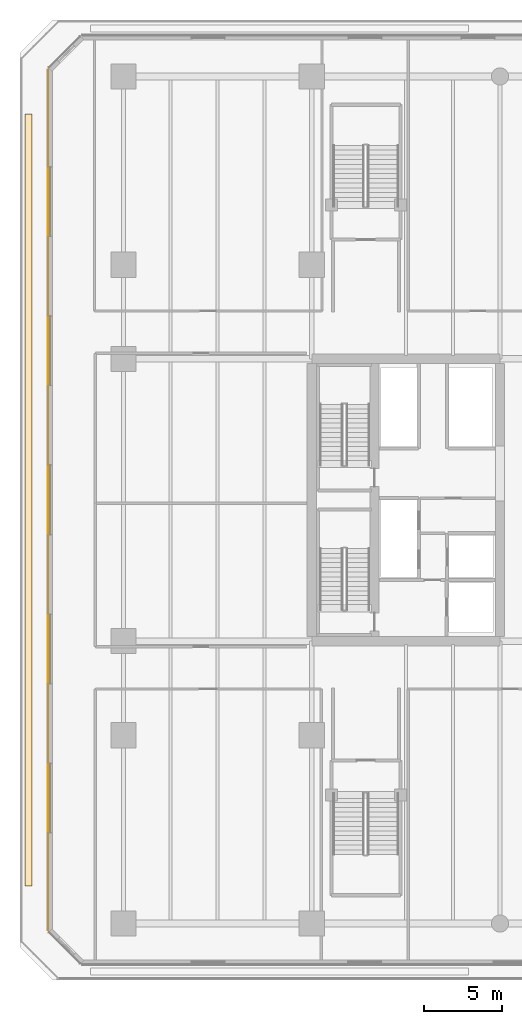
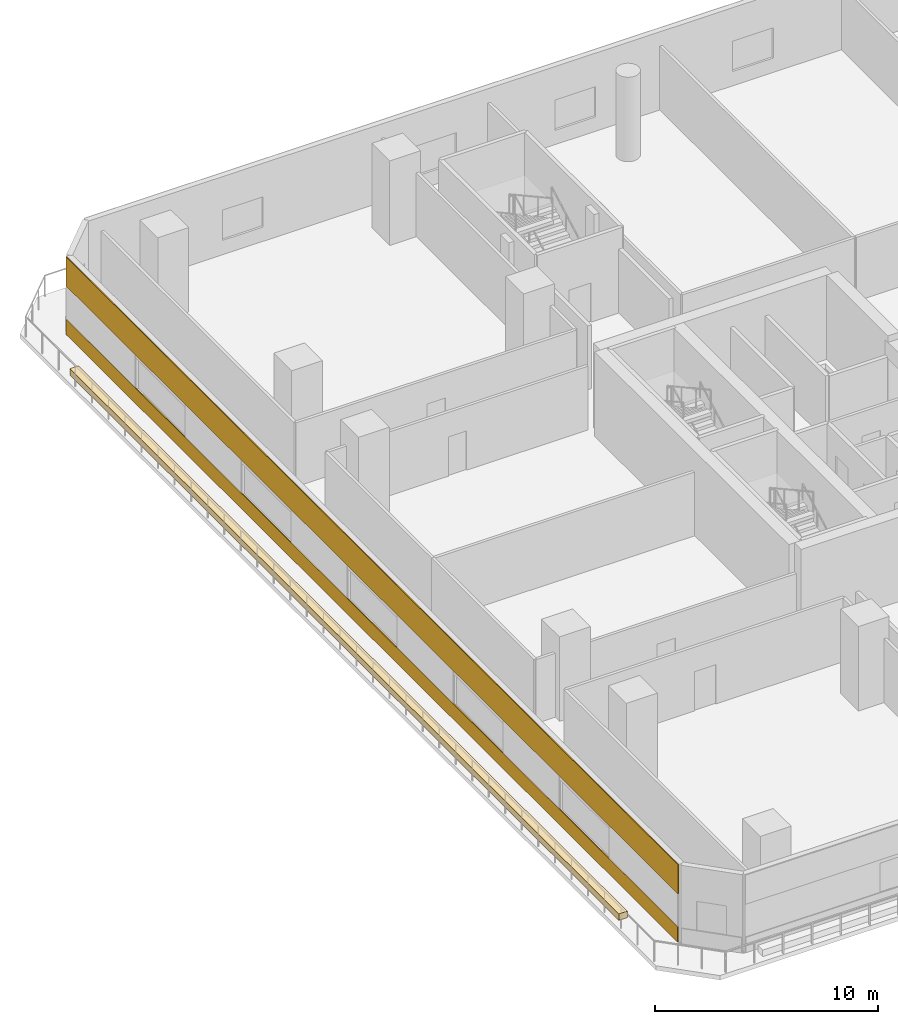
# One storey, part 14 of 27: 3 coverings.
"""IFC4 building model written with IfcOpenShell, lengths in metres."""

from ifc_helpers import new_model, si_unit, direction, frame, origin, origin_2d, place, context, subcontext, project, spatial, polyline, rectangle, outline, extrude, material, layer, layer_set, type_object, element, save


model = new_model("IFC4")

# Units and contexts
model_context = context("Model", 3, precision=1e-05, world=origin(), true_north=direction((0.0, 1.0)))
body_context = subcontext(model_context, "Body", "Model", "MODEL_VIEW")
ifc_project = project(units=[si_unit("LENGTHUNIT", "METRE"), si_unit("AREAUNIT", "SQUARE_METRE"), si_unit("VOLUMEUNIT", "CUBIC_METRE"), si_unit("PLANEANGLEUNIT", "RADIAN"), si_unit("MASSUNIT", "GRAM", prefix="KILO")], contexts=[model_context])

# Site, building, storey
site_placement = place(None, origin())
site = spatial("IfcSite", under=ifc_project, at=site_placement, CompositionType="ELEMENT")
building_placement = place(site_placement, origin())
building = spatial("IfcBuilding", under=site, at=building_placement, Name="Tanjung Sevakor Pilgrim Tower", CompositionType="ELEMENT")
storey_placement = place(building_placement, frame((0.0, 0.0, 19.469970703125)))
storey = spatial("IfcBuildingStorey", under=building, at=storey_placement, Name="L05", CompositionType="ELEMENT", Elevation=19.469970703125)

# Coverings
ifc_material_1 = material(Name="Reconstructed Limestone Cladding", Category="masonry")
ifc_layer_1 = layer(ifc_material_1, 0.044921875)
ifc_layer_set_1 = layer_set([ifc_layer_1], Name="COV-CLAD-LIMESTONE")
covering_type_1 = type_object("IfcCoveringType", Name="COV-CLAD-LIMESTONE", PredefinedType="CLADDING", material=ifc_layer_set_1)
covering_1_placement = place(storey_placement, frame((7.177490234375, 33.60009765625, 0.009765625), z_axis=(0.0, 0.0, 1.0), x_axis=(0.0, -1.0, 0.0)))
element("IfcCovering", 1, at=covering_1_placement, inside=storey, type_object=covering_type_1, Name="L05 Warm Limestone Sill Spandrel EW-L05-MAIN-7-1", PredefinedType="CLADDING", context=body_context, shape_type="SweptSolid", body=[
    extrude(rectangle(XDim=54.803955078125, YDim=0.044921875, at=origin_2d()), origin(), (0.0, 0.0, 1.0), 0.840087890625),
])
covering_2_placement = place(storey_placement, frame((7.177490234375, 33.60009765625, 2.659912109375), z_axis=(0.0, 0.0, 1.0), x_axis=(0.0, -1.0, 0.0)))
element("IfcCovering", 2, at=covering_2_placement, inside=storey, type_object=covering_type_1, Name="L05 Warm Limestone Cornice Spandrel EW-L05-MAIN-7", PredefinedType="CLADDING", context=body_context, shape_type="SweptSolid", body=[
    extrude(rectangle(XDim=54.843994140625, YDim=0.044921875, at=origin_2d()), origin(), (0.0, 0.0, 1.0), 1.60009765625),
])
ifc_material_2 = material(Name="Vegetated Modular Planter Assembly", Category="organic")
ifc_layer_2 = layer(ifc_material_2, 0.35009765625)
ifc_layer_set_2 = layer_set([ifc_layer_2], Name="COV-GRN-TROUGH")
covering_type_2 = type_object("IfcCoveringType", Name="COV-GRN-TROUGH", PredefinedType="CLADDING", material=ifc_layer_set_2)
covering_3_placement = place(storey_placement, origin())
element("IfcCovering", 3, at=covering_3_placement, inside=storey, type_object=covering_type_2, Name="L05 Planted Landscape Hedge Trough PGRN-L05-W", PredefinedType="CLADDING", context=body_context, shape_type="SweptSolid", body=[
    extrude(outline(polyline([(6.169921875, 9.0), (6.169921875, 58.199951171875), (5.72998046875, 58.199951171875), (5.72998046875, 9.0), (6.169921875, 9.0)])), origin(), (0.0, 0.0, 1.0), 0.35009765625),
])

save(model, "model.ifc")
